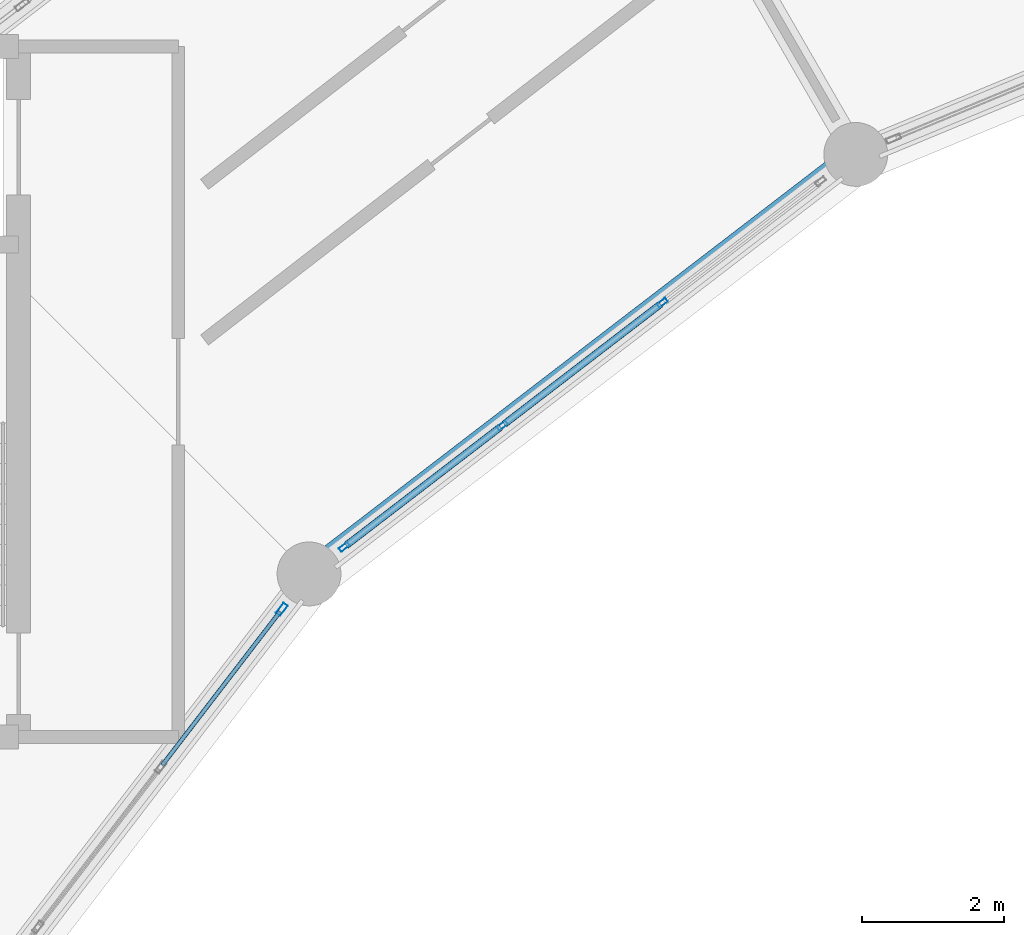
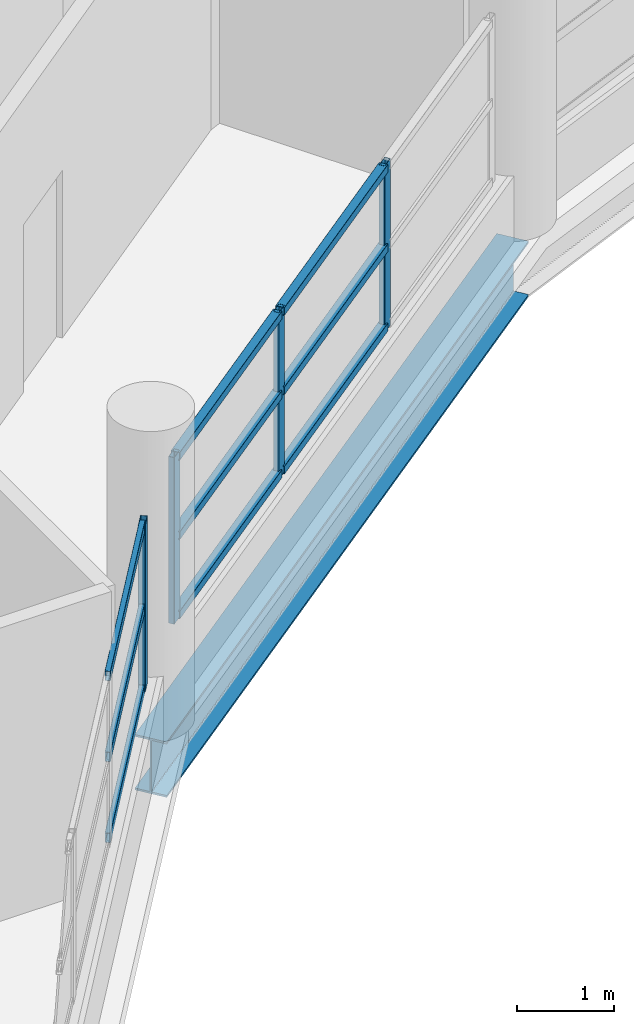
# One storey, part 25 of 53: 13 members, 1 beam, 2 elements without a shape of their own.
"""IFC4 building model written with IfcOpenShell, lengths in metres."""

from ifc_helpers import new_model, si_unit, direction, frame, origin, origin_2d, place, context, subcontext, project, spatial, hollow_rectangle, i_section, extrude, material, layer, layer_set, material_profile, profile_set, type_object, element, aggregate, save


model = new_model("IFC4")

# Units and contexts
model_context = context("Model", 3, precision=1e-05, world=origin(), true_north=direction((0.0, 1.0)))
body_context = subcontext(model_context, "Body", "Model", "MODEL_VIEW")
ifc_project = project(units=[si_unit("LENGTHUNIT", "METRE"), si_unit("AREAUNIT", "SQUARE_METRE"), si_unit("VOLUMEUNIT", "CUBIC_METRE"), si_unit("PLANEANGLEUNIT", "RADIAN"), si_unit("MASSUNIT", "GRAM", prefix="KILO")], contexts=[model_context])

# Site, building, storey
site_placement = place(None, origin())
site = spatial("IfcSite", under=ifc_project, at=site_placement, CompositionType="ELEMENT")
building_placement = place(site_placement, origin())
building = spatial("IfcBuilding", under=site, at=building_placement, Name="Vespera Passage Community Centre", CompositionType="ELEMENT")
storey_placement = place(building_placement, frame((0.0, 0.0, 20.39990234375)))
storey = spatial("IfcBuildingStorey", under=building, at=storey_placement, Name="L05", CompositionType="ELEMENT", Elevation=20.39990234375)

# Beam
ifc_material_1 = material(Name="Steel ASTM A992 Grade 50", Category="steel")
ifc_material_profile_1 = material_profile(ifc_material_1, i_section(OverallWidth=0.3544921875, OverallDepth=0.695556640625, WebThickness=0.015380859375, FlangeThickness=0.024658203125, FilletRadius=0.01513671875, at=origin_2d()), Name="W27X146")
ifc_profile_set_1 = profile_set([ifc_material_profile_1], Name="Steel ASTM A992 Grade 50")
beam_type = type_object("IfcBeamType", Name="BM-SP-W27X146E", PredefinedType="SPANDREL", material=ifc_profile_set_1)
beam_placement = place(storey_placement, frame((59.39990234375, 97.716064453125, -0.607666015625), z_axis=(-0.793359869694, -0.60875291963, 0.0), x_axis=(0.60875291963, -0.793359869694, 0.0)))
element("IfcBeam", 1, at=beam_placement, inside=storey, type_object=beam_type, Name="V4 L05 Inner Spandrel 8", PredefinedType="SPANDREL", context=body_context, shape_type="SweptSolid", body=[
    extrude(i_section(OverallWidth=0.3544921875, OverallDepth=0.695556640625, WebThickness=0.015380859375, FlangeThickness=0.024658203125, FilletRadius=0.01513671875, at=origin_2d()), origin(), (0.0, 0.0, 1.0), 9.7109375),
])

# Curtain wall, members
ifc_material_2 = material(Name="Anodized aluminium 6063-T6", Category="aluminium")
ifc_layer_1 = layer(ifc_material_2, 0.159912109375)
ifc_layer_set_1 = layer_set([ifc_layer_1], Name="Anodized aluminium 6063-T6")
curtain_wall_type_1 = type_object("IfcCurtainWallType", Name="CW-61E", PredefinedType="NOTDEFINED", material=ifc_layer_set_1)
curtain_wall_1_placement = place(storey_placement, origin())
curtain_wall_1 = element("IfcCurtainWall", 2, at=curtain_wall_1_placement, inside=storey, type_object=curtain_wall_type_1, Name="V4 L05 Inner Court Curtain Wall 8", PredefinedType="NOTDEFINED")
ifc_material_3 = material(Name="Anodized aluminium 6063-T6", Category="aluminium")
ifc_material_profile_2 = material_profile(ifc_material_3, hollow_rectangle(XDim=0.06494140625, YDim=0.14990234375, WallThickness=0.00390625, InnerFilletRadius=0.001953125, OuterFilletRadius=0.00390625, at=origin_2d()), Name="ALU150X65X4")
ifc_profile_set_2 = profile_set([ifc_material_profile_2], Name="Anodized aluminium 6063-T6")
member_type_1 = type_object("IfcMemberType", Name="MB-CWM-150E", PredefinedType="MULLION", material=ifc_profile_set_2)
member_1_placement = place(storey_placement, frame((56.675048828125, 95.625244140625, 0.820068359375), z_axis=(0.0, 0.0, 1.0), x_axis=(0.608755087843, -0.793358205999, 0.0)))
member_1 = element("IfcMember", 3, at=member_1_placement, type_object=member_type_1, Name="CW-61E mullion 2", PredefinedType="MULLION", context=body_context, shape_type="SweptSolid", body=[
    extrude(hollow_rectangle(XDim=0.06494140625, YDim=0.14990234375, WallThickness=0.00390625, InnerFilletRadius=0.001953125, OuterFilletRadius=0.00390625, at=origin_2d()), origin(), (0.0, 0.0, 1.0), 2.08935546875),
])
member_2_placement = place(storey_placement, frame((54.420654296875, 93.895263671875, 0.820068359375), z_axis=(0.0, 0.0, 1.0), x_axis=(0.608755087843, -0.793358205999, 0.0)))
member_2 = element("IfcMember", 4, at=member_2_placement, type_object=member_type_1, Name="CW-61E mullion 3", PredefinedType="MULLION", context=body_context, shape_type="SweptSolid", body=[
    extrude(hollow_rectangle(XDim=0.06494140625, YDim=0.14990234375, WallThickness=0.00390625, InnerFilletRadius=0.001953125, OuterFilletRadius=0.00390625, at=origin_2d()), origin(), (0.0, 0.0, 1.0), 2.08935546875),
])
member_3_placement = place(storey_placement, frame((52.19189453125, 92.185302734375, 0.820068359375), z_axis=(0.0, 0.0, 1.0), x_axis=(0.608755087843, -0.793358205999, 0.0)))
member_3 = element("IfcMember", 5, at=member_3_placement, type_object=member_type_1, Name="CW-61E mullion 4", PredefinedType="MULLION", context=body_context, shape_type="SweptSolid", body=[
    extrude(hollow_rectangle(XDim=0.06494140625, YDim=0.14990234375, WallThickness=0.00390625, InnerFilletRadius=0.001953125, OuterFilletRadius=0.00390625, at=origin_2d()), origin(), (0.0, 0.0, 1.0), 2.08935546875),
])

# Curtain wall, member
ifc_material_4 = material(Name="Anodized aluminium 6063-T6", Category="aluminium")
ifc_layer_2 = layer(ifc_material_4, 0.159912109375)
ifc_layer_set_2 = layer_set([ifc_layer_2], Name="Anodized aluminium 6063-T6")
curtain_wall_type_2 = type_object("IfcCurtainWallType", Name="CW-54E", PredefinedType="NOTDEFINED", material=ifc_layer_set_2)
curtain_wall_2_placement = place(storey_placement, origin())
curtain_wall_2 = element("IfcCurtainWall", 6, at=curtain_wall_2_placement, inside=storey, type_object=curtain_wall_type_2, Name="V4 L05 Inner Court Curtain Wall 9", PredefinedType="NOTDEFINED")
ifc_material_5 = material(Name="Anodized aluminium 6063-T6", Category="aluminium")
ifc_material_profile_3 = material_profile(ifc_material_5, hollow_rectangle(XDim=0.074951171875, YDim=0.179931640625, WallThickness=0.0048828125, InnerFilletRadius=0.00244140625, OuterFilletRadius=0.0048828125, at=origin_2d()), Name="ALU180X75X5")
ifc_profile_set_3 = profile_set([ifc_material_profile_3], Name="Anodized aluminium 6063-T6")
member_type_2 = type_object("IfcMemberType", Name="MB-CWM-180E", PredefinedType="MULLION", material=ifc_profile_set_3)
member_4_placement = place(storey_placement, frame((51.311767578125, 91.303955078125, 0.820068359375), z_axis=(0.0, 0.0, 1.0), x_axis=(0.793358205999, -0.608755087843, 0.0)))
member_4 = element("IfcMember", 7, at=member_4_placement, type_object=member_type_2, Name="CW-54E mullion 1", PredefinedType="MULLION", context=body_context, shape_type="SweptSolid", body=[
    extrude(hollow_rectangle(XDim=0.074951171875, YDim=0.179931640625, WallThickness=0.0048828125, InnerFilletRadius=0.00244140625, OuterFilletRadius=0.0048828125, at=origin_2d()), origin(), (0.0, 0.0, 1.0), 2.08935546875),
])

# Member
ifc_material_6 = material(Name="Anodized aluminium 6063-T6", Category="aluminium")
ifc_material_profile_4 = material_profile(ifc_material_6, hollow_rectangle(XDim=0.10009765625, YDim=0.10009765625, WallThickness=0.00390625, InnerFilletRadius=0.001953125, OuterFilletRadius=0.00390625, at=origin_2d()), Name="ALU100X100X4")
ifc_profile_set_4 = profile_set([ifc_material_profile_4], Name="Anodized aluminium 6063-T6")
member_type_3 = type_object("IfcMemberType", Name="MB-CWT-100E", PredefinedType="USERDEFINED", material=ifc_profile_set_4)
member_5_placement = place(storey_placement, frame((56.649169921875, 95.60546875, 0.8701171875), z_axis=(-0.793335989748, -0.60878404001, 0.0), x_axis=(0.60878404001, -0.793335989748, 0.0)))
member_5 = element("IfcMember", 8, at=member_5_placement, type_object=member_type_3, Name="CW-61E transom 2.1", ObjectType="TRANSOM", PredefinedType="USERDEFINED", context=body_context, shape_type="SweptSolid", body=[
    extrude(hollow_rectangle(XDim=0.10009765625, YDim=0.10009765625, WallThickness=0.00390625, InnerFilletRadius=0.001953125, OuterFilletRadius=0.00390625, at=origin_2d()), origin(), (0.0, 0.0, 1.0), 2.776611328125),
])

member_6_placement = place(storey_placement, frame((56.649169921875, 95.60546875, 1.86474609375), z_axis=(-0.793335989748, -0.60878404001, 0.0), x_axis=(0.60878404001, -0.793335989748, 0.0)))
member_6 = element("IfcMember", 9, at=member_6_placement, type_object=member_type_3, Name="CW-61E transom 2.2", ObjectType="TRANSOM", PredefinedType="USERDEFINED", context=body_context, shape_type="SweptSolid", body=[
    extrude(hollow_rectangle(XDim=0.10009765625, YDim=0.10009765625, WallThickness=0.00390625, InnerFilletRadius=0.001953125, OuterFilletRadius=0.00390625, at=origin_2d()), origin(), (0.0, 0.0, 1.0), 2.776611328125),
])

member_7_placement = place(storey_placement, frame((56.649169921875, 95.60546875, 2.859619140625), z_axis=(-0.793335989748, -0.60878404001, 0.0), x_axis=(0.60878404001, -0.793335989748, 0.0)))
member_7 = element("IfcMember", 10, at=member_7_placement, type_object=member_type_3, Name="CW-61E transom 2.3", ObjectType="TRANSOM", PredefinedType="USERDEFINED", context=body_context, shape_type="SweptSolid", body=[
    extrude(hollow_rectangle(XDim=0.10009765625, YDim=0.10009765625, WallThickness=0.00390625, InnerFilletRadius=0.001953125, OuterFilletRadius=0.00390625, at=origin_2d()), origin(), (0.0, 0.0, 1.0), 2.776611328125),
])

member_8_placement = place(storey_placement, frame((54.394775390625, 93.87548828125, 0.8701171875), z_axis=(-0.793364286906, -0.608747162837, 0.0), x_axis=(0.608747162837, -0.793364286906, 0.0)))
member_8 = element("IfcMember", 11, at=member_8_placement, type_object=member_type_3, Name="CW-61E transom 3.1", ObjectType="TRANSOM", PredefinedType="USERDEFINED", context=body_context, shape_type="SweptSolid", body=[
    extrude(hollow_rectangle(XDim=0.10009765625, YDim=0.10009765625, WallThickness=0.00390625, InnerFilletRadius=0.001953125, OuterFilletRadius=0.00390625, at=origin_2d()), origin(), (0.0, 0.0, 1.0), 2.743896484375),
])

member_9_placement = place(storey_placement, frame((54.394775390625, 93.87548828125, 1.86474609375), z_axis=(-0.793364286906, -0.608747162837, 0.0), x_axis=(0.608747162837, -0.793364286906, 0.0)))
member_9 = element("IfcMember", 12, at=member_9_placement, type_object=member_type_3, Name="CW-61E transom 3.2", ObjectType="TRANSOM", PredefinedType="USERDEFINED", context=body_context, shape_type="SweptSolid", body=[
    extrude(hollow_rectangle(XDim=0.10009765625, YDim=0.10009765625, WallThickness=0.00390625, InnerFilletRadius=0.001953125, OuterFilletRadius=0.00390625, at=origin_2d()), origin(), (0.0, 0.0, 1.0), 2.743896484375),
])

member_10_placement = place(storey_placement, frame((54.394775390625, 93.87548828125, 2.859619140625), z_axis=(-0.793364286906, -0.608747162837, 0.0), x_axis=(0.608747162837, -0.793364286906, 0.0)))
member_10 = element("IfcMember", 13, at=member_10_placement, type_object=member_type_3, Name="CW-61E transom 3.3", ObjectType="TRANSOM", PredefinedType="USERDEFINED", context=body_context, shape_type="SweptSolid", body=[
    extrude(hollow_rectangle(XDim=0.10009765625, YDim=0.10009765625, WallThickness=0.00390625, InnerFilletRadius=0.001953125, OuterFilletRadius=0.00390625, at=origin_2d()), origin(), (0.0, 0.0, 1.0), 2.743896484375),
])

aggregate(curtain_wall_1, [member_1, member_2, member_3, member_5, member_6, member_7, member_8, member_9, member_10])

ifc_material_7 = material(Name="Anodized aluminium 6063-T6", Category="aluminium")
ifc_material_profile_5 = material_profile(ifc_material_7, hollow_rectangle(XDim=0.06005859375, YDim=0.1201171875, WallThickness=0.00390625, InnerFilletRadius=0.001953125, OuterFilletRadius=0.00390625, at=origin_2d()), Name="ALU120X60X4")
ifc_profile_set_5 = profile_set([ifc_material_profile_5], Name="Anodized aluminium 6063-T6")
member_type_4 = type_object("IfcMemberType", Name="MB-CWT-120E", PredefinedType="USERDEFINED", material=ifc_profile_set_5)
member_11_placement = place(storey_placement, frame((51.288818359375, 91.2744140625, 0.85009765625), z_axis=(-0.608737609183, -0.793371617318, 0.0), x_axis=(0.793371617318, -0.608737609183, 0.0)))
member_11 = element("IfcMember", 14, at=member_11_placement, type_object=member_type_4, Name="CW-54E transom 1.1", ObjectType="TRANSOM", PredefinedType="USERDEFINED", context=body_context, shape_type="SweptSolid", body=[
    extrude(hollow_rectangle(XDim=0.06005859375, YDim=0.1201171875, WallThickness=0.00390625, InnerFilletRadius=0.001953125, OuterFilletRadius=0.00390625, at=origin_2d()), origin(), (0.0, 0.0, 1.0), 2.729248046875),
])

member_12_placement = place(storey_placement, frame((51.288818359375, 91.2744140625, 1.86474609375), z_axis=(-0.608737609183, -0.793371617318, 0.0), x_axis=(0.793371617318, -0.608737609183, 0.0)))
member_12 = element("IfcMember", 15, at=member_12_placement, type_object=member_type_4, Name="CW-54E transom 1.2", ObjectType="TRANSOM", PredefinedType="USERDEFINED", context=body_context, shape_type="SweptSolid", body=[
    extrude(hollow_rectangle(XDim=0.06005859375, YDim=0.1201171875, WallThickness=0.00390625, InnerFilletRadius=0.001953125, OuterFilletRadius=0.00390625, at=origin_2d()), origin(), (0.0, 0.0, 1.0), 2.729248046875),
])

member_13_placement = place(storey_placement, frame((51.288818359375, 91.2744140625, 2.87939453125), z_axis=(-0.608737609183, -0.793371617318, 0.0), x_axis=(0.793371617318, -0.608737609183, 0.0)))
member_13 = element("IfcMember", 16, at=member_13_placement, type_object=member_type_4, Name="CW-54E transom 1.3", ObjectType="TRANSOM", PredefinedType="USERDEFINED", context=body_context, shape_type="SweptSolid", body=[
    extrude(hollow_rectangle(XDim=0.06005859375, YDim=0.1201171875, WallThickness=0.00390625, InnerFilletRadius=0.001953125, OuterFilletRadius=0.00390625, at=origin_2d()), origin(), (0.0, 0.0, 1.0), 2.729248046875),
])

aggregate(curtain_wall_2, [member_4, member_11, member_12, member_13])

save(model, "model.ifc")
